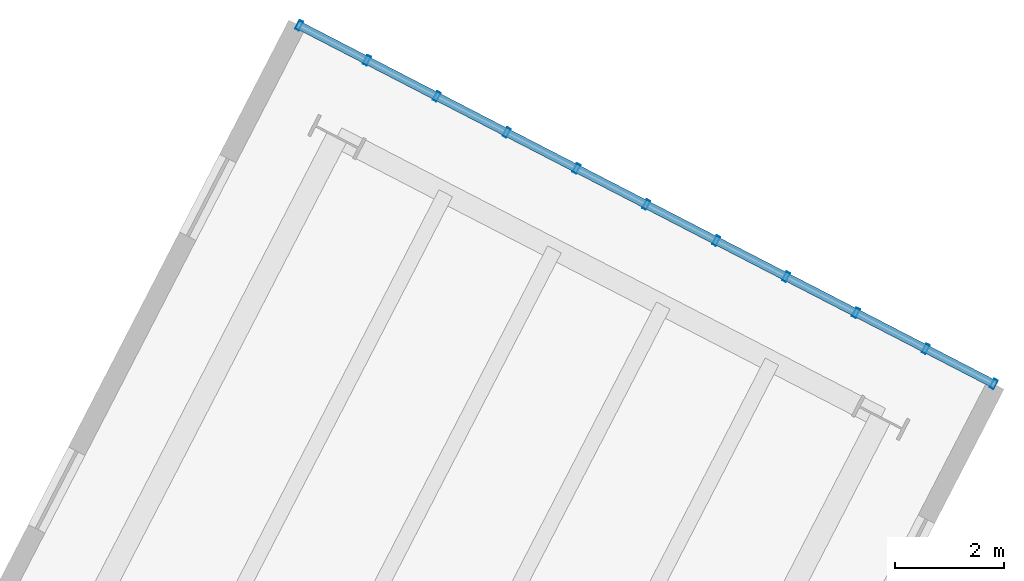
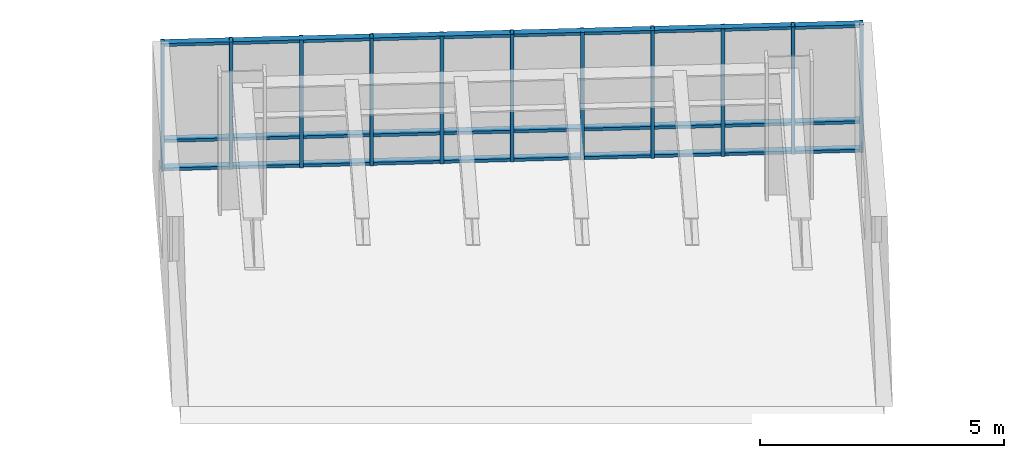
# One storey, part 3 of 11: 14 members, 1 element without a shape of its own.
"""IFC4 building model written with IfcOpenShell, lengths in metres."""

from ifc_helpers import new_model, si_unit, direction, frame, origin, origin_2d, place, context, subcontext, project, spatial, hollow_rectangle, extrude, material, layer, layer_set, material_profile, profile_set, type_object, element, aggregate, save


model = new_model("IFC4")

# Units and contexts
model_context = context("Model", 3, precision=1e-05, world=origin(), true_north=direction((0.0, 1.0)))
body_context = subcontext(model_context, "Body", "Model", "MODEL_VIEW")
ifc_project = project(units=[si_unit("LENGTHUNIT", "METRE"), si_unit("AREAUNIT", "SQUARE_METRE"), si_unit("VOLUMEUNIT", "CUBIC_METRE"), si_unit("PLANEANGLEUNIT", "RADIAN"), si_unit("MASSUNIT", "GRAM", prefix="KILO"), si_unit("THERMODYNAMICTEMPERATUREUNIT", "KELVIN"), si_unit("POWERUNIT", "WATT")], contexts=[model_context])

# Site, building, storey
site_placement = place(None, origin())
site = spatial("IfcSite", under=ifc_project, at=site_placement, CompositionType="ELEMENT")
building_placement = place(site_placement, origin())
building = spatial("IfcBuilding", under=site, at=building_placement, Name="Skarre Station Tower", CompositionType="ELEMENT")
storey_placement = place(building_placement, frame((0.0, 0.0, 118.800048828125)))
storey = spatial("IfcBuildingStorey", under=building, at=storey_placement, Name="L31", CompositionType="ELEMENT", Elevation=118.800048828125)

# Curtain wall, members
ifc_material_1 = material(Name="Thermally Broken Bronze-Anodized Aluminium & Triple Low-E Glass", Category="aluminium")
ifc_layer = layer(ifc_material_1, 0.2099609375, Name="Thermally Broken Bronze-Anodized Aluminium & Triple Low-E Glass")
ifc_layer_set = layer_set([ifc_layer], Name="Thermally Broken Bronze-Anodized Aluminium & Triple Low-E Glass")
curtain_wall_type = type_object("IfcCurtainWallType", Name="Sky-Bar Prow Structural Glazed Curtain Wall", PredefinedType="NOTDEFINED", material=ifc_layer_set)
curtain_wall_placement = place(storey_placement, origin())
curtain_wall = element("IfcCurtainWall", 1, at=curtain_wall_placement, inside=storey, type_object=curtain_wall_type, Name="L31 SB-2 Lakefront Prow Curtain Wall", PredefinedType="NOTDEFINED")
ifc_material_2 = material(Name="Anodized Aluminium 6063-T6", Category="aluminium")
ifc_material_profile_1 = material_profile(ifc_material_2, hollow_rectangle(XDim=0.074951171875, YDim=0.14990234375, WallThickness=0.00390625, at=origin_2d()), Name="Anodized Aluminium 6063-T6")
ifc_profile_set_1 = profile_set([ifc_material_profile_1], Name="Anodized Aluminium 6063-T6")
member_type_1 = type_object("IfcMemberType", Name="Curtain-Wall Secondary Transom 150x75", PredefinedType="USERDEFINED", material=ifc_profile_set_1)
member_1_placement = place(storey_placement, frame((48.833984375, 60.43310546875, 0.0400390625), z_axis=(0.888595468438, -0.458691719427, 0.0), x_axis=(0.0, 0.0, 1.0)))
member_1 = element("IfcMember", 2, at=member_1_placement, type_object=member_type_1, Name="L31 SB-2 Lakefront Prow Curtain Wall Transom 1", ObjectType="TRANSOM", PredefinedType="USERDEFINED", context=body_context, shape_type="SweptSolid", body=[
    extrude(hollow_rectangle(XDim=0.074951171875, YDim=0.14990234375, WallThickness=0.00390625, at=origin_2d()), origin(), (0.0, 0.0, 1.0), 14.400146484375),
])
member_2_placement = place(storey_placement, frame((48.833984375, 60.43310546875, 0.75), z_axis=(0.888595468438, -0.458691719427, 0.0), x_axis=(0.0, 0.0, 1.0)))
member_2 = element("IfcMember", 3, at=member_2_placement, type_object=member_type_1, Name="L31 SB-2 Lakefront Prow Curtain Wall Transom 2", ObjectType="TRANSOM", PredefinedType="USERDEFINED", context=body_context, shape_type="SweptSolid", body=[
    extrude(hollow_rectangle(XDim=0.074951171875, YDim=0.14990234375, WallThickness=0.00390625, at=origin_2d()), origin(), (0.0, 0.0, 1.0), 14.400146484375),
])
member_3_placement = place(storey_placement, frame((48.833984375, 60.43310546875, 3.14990234375), z_axis=(0.888595468438, -0.458691719427, 0.0), x_axis=(0.0, 0.0, 1.0)))
member_3 = element("IfcMember", 4, at=member_3_placement, type_object=member_type_1, Name="L31 SB-2 Lakefront Prow Curtain Wall Transom 3", ObjectType="TRANSOM", PredefinedType="USERDEFINED", context=body_context, shape_type="SweptSolid", body=[
    extrude(hollow_rectangle(XDim=0.074951171875, YDim=0.14990234375, WallThickness=0.00390625, at=origin_2d()), origin(), (0.0, 0.0, 1.0), 14.400146484375),
])
ifc_material_profile_2 = material_profile(ifc_material_2, hollow_rectangle(XDim=0.074951171875, YDim=0.179931640625, WallThickness=0.00390625, at=origin_2d()), Name="Anodized Aluminium 6063-T6")
ifc_profile_set_2 = profile_set([ifc_material_profile_2], Name="Anodized Aluminium 6063-T6")
member_type_2 = type_object("IfcMemberType", Name="Curtain-Wall Unitised Tower Mullion 180x75", PredefinedType="MULLION", material=ifc_profile_set_2)
member_4_placement = place(storey_placement, frame((48.8701171875, 60.4150390625, 0.0), z_axis=(0.0, 0.0, 1.0), x_axis=(0.888601222224, -0.458680572798, 0.0)))
member_4 = element("IfcMember", 5, at=member_4_placement, type_object=member_type_2, Name="L31 SB-2 Lakefront Prow Curtain Wall Mullion 1", PredefinedType="MULLION", context=body_context, shape_type="SweptSolid", body=[
    extrude(hollow_rectangle(XDim=0.074951171875, YDim=0.179931640625, WallThickness=0.00390625, at=origin_2d()), origin(), (0.0, 0.0, 1.0), 3.18994140625),
])
member_5_placement = place(storey_placement, frame((50.114013671875, 59.77294921875, 0.0), z_axis=(0.0, 0.0, 1.0), x_axis=(0.888601222224, -0.458680572798, 0.0)))
member_5 = element("IfcMember", 6, at=member_5_placement, type_object=member_type_2, Name="L31 SB-2 Lakefront Prow Curtain Wall Mullion 2", PredefinedType="MULLION", context=body_context, shape_type="SweptSolid", body=[
    extrude(hollow_rectangle(XDim=0.074951171875, YDim=0.179931640625, WallThickness=0.00390625, at=origin_2d()), origin(), (0.0, 0.0, 1.0), 3.18994140625),
])
member_6_placement = place(storey_placement, frame((51.39306640625, 59.112060546875, 0.0), z_axis=(0.0, 0.0, 1.0), x_axis=(0.888601222224, -0.458680572798, 0.0)))
member_6 = element("IfcMember", 7, at=member_6_placement, type_object=member_type_2, Name="L31 SB-2 Lakefront Prow Curtain Wall Mullion 3", PredefinedType="MULLION", context=body_context, shape_type="SweptSolid", body=[
    extrude(hollow_rectangle(XDim=0.074951171875, YDim=0.179931640625, WallThickness=0.00390625, at=origin_2d()), origin(), (0.0, 0.0, 1.0), 3.18994140625),
])
member_7_placement = place(storey_placement, frame((52.673095703125, 58.451904296875, 0.0), z_axis=(0.0, 0.0, 1.0), x_axis=(0.888601222224, -0.458680572798, 0.0)))
member_7 = element("IfcMember", 8, at=member_7_placement, type_object=member_type_2, Name="L31 SB-2 Lakefront Prow Curtain Wall Mullion 4", PredefinedType="MULLION", context=body_context, shape_type="SweptSolid", body=[
    extrude(hollow_rectangle(XDim=0.074951171875, YDim=0.179931640625, WallThickness=0.00390625, at=origin_2d()), origin(), (0.0, 0.0, 1.0), 3.18994140625),
])
member_8_placement = place(storey_placement, frame((53.951904296875, 57.791015625, 0.0), z_axis=(0.0, 0.0, 1.0), x_axis=(0.888601222224, -0.458680572798, 0.0)))
member_8 = element("IfcMember", 9, at=member_8_placement, type_object=member_type_2, Name="L31 SB-2 Lakefront Prow Curtain Wall Mullion 5", PredefinedType="MULLION", context=body_context, shape_type="SweptSolid", body=[
    extrude(hollow_rectangle(XDim=0.074951171875, YDim=0.179931640625, WallThickness=0.00390625, at=origin_2d()), origin(), (0.0, 0.0, 1.0), 3.18994140625),
])
member_9_placement = place(storey_placement, frame((55.23193359375, 57.1298828125, 0.0), z_axis=(0.0, 0.0, 1.0), x_axis=(0.888601222224, -0.458680572798, 0.0)))
member_9 = element("IfcMember", 10, at=member_9_placement, type_object=member_type_2, Name="L31 SB-2 Lakefront Prow Curtain Wall Mullion 6", PredefinedType="MULLION", context=body_context, shape_type="SweptSolid", body=[
    extrude(hollow_rectangle(XDim=0.074951171875, YDim=0.179931640625, WallThickness=0.00390625, at=origin_2d()), origin(), (0.0, 0.0, 1.0), 3.18994140625),
])
member_10_placement = place(storey_placement, frame((56.511962890625, 56.469970703125, 0.0), z_axis=(0.0, 0.0, 1.0), x_axis=(0.888601222224, -0.458680572798, 0.0)))
member_10 = element("IfcMember", 11, at=member_10_placement, type_object=member_type_2, Name="L31 SB-2 Lakefront Prow Curtain Wall Mullion 7", PredefinedType="MULLION", context=body_context, shape_type="SweptSolid", body=[
    extrude(hollow_rectangle(XDim=0.074951171875, YDim=0.179931640625, WallThickness=0.00390625, at=origin_2d()), origin(), (0.0, 0.0, 1.0), 3.18994140625),
])
member_11_placement = place(storey_placement, frame((57.791015625, 55.80908203125, 0.0), z_axis=(0.0, 0.0, 1.0), x_axis=(0.888601222224, -0.458680572798, 0.0)))
member_11 = element("IfcMember", 12, at=member_11_placement, type_object=member_type_2, Name="L31 SB-2 Lakefront Prow Curtain Wall Mullion 8", PredefinedType="MULLION", context=body_context, shape_type="SweptSolid", body=[
    extrude(hollow_rectangle(XDim=0.074951171875, YDim=0.179931640625, WallThickness=0.00390625, at=origin_2d()), origin(), (0.0, 0.0, 1.0), 3.18994140625),
])
member_12_placement = place(storey_placement, frame((59.071044921875, 55.14892578125, 0.0), z_axis=(0.0, 0.0, 1.0), x_axis=(0.888601222224, -0.458680572798, 0.0)))
member_12 = element("IfcMember", 13, at=member_12_placement, type_object=member_type_2, Name="L31 SB-2 Lakefront Prow Curtain Wall Mullion 9", PredefinedType="MULLION", context=body_context, shape_type="SweptSolid", body=[
    extrude(hollow_rectangle(XDim=0.074951171875, YDim=0.179931640625, WallThickness=0.00390625, at=origin_2d()), origin(), (0.0, 0.0, 1.0), 3.18994140625),
])
member_13_placement = place(storey_placement, frame((60.35009765625, 54.489013671875, 0.0), z_axis=(0.0, 0.0, 1.0), x_axis=(0.888601222224, -0.458680572798, 0.0)))
member_13 = element("IfcMember", 14, at=member_13_placement, type_object=member_type_2, Name="L31 SB-2 Lakefront Prow Curtain Wall Mullion 10", PredefinedType="MULLION", context=body_context, shape_type="SweptSolid", body=[
    extrude(hollow_rectangle(XDim=0.074951171875, YDim=0.179931640625, WallThickness=0.00390625, at=origin_2d()), origin(), (0.0, 0.0, 1.0), 3.18994140625),
])
member_14_placement = place(storey_placement, frame((61.593994140625, 53.845947265625, 0.0), z_axis=(0.0, 0.0, 1.0), x_axis=(0.888601222224, -0.458680572798, 0.0)))
member_14 = element("IfcMember", 15, at=member_14_placement, type_object=member_type_2, Name="L31 SB-2 Lakefront Prow Curtain Wall Mullion 11", PredefinedType="MULLION", context=body_context, shape_type="SweptSolid", body=[
    extrude(hollow_rectangle(XDim=0.074951171875, YDim=0.179931640625, WallThickness=0.00390625, at=origin_2d()), origin(), (0.0, 0.0, 1.0), 3.18994140625),
])
aggregate(curtain_wall, [member_4, member_5, member_6, member_7, member_8, member_9, member_10, member_11, member_12, member_13, member_14, member_1, member_2, member_3])

save(model, "model.ifc")
